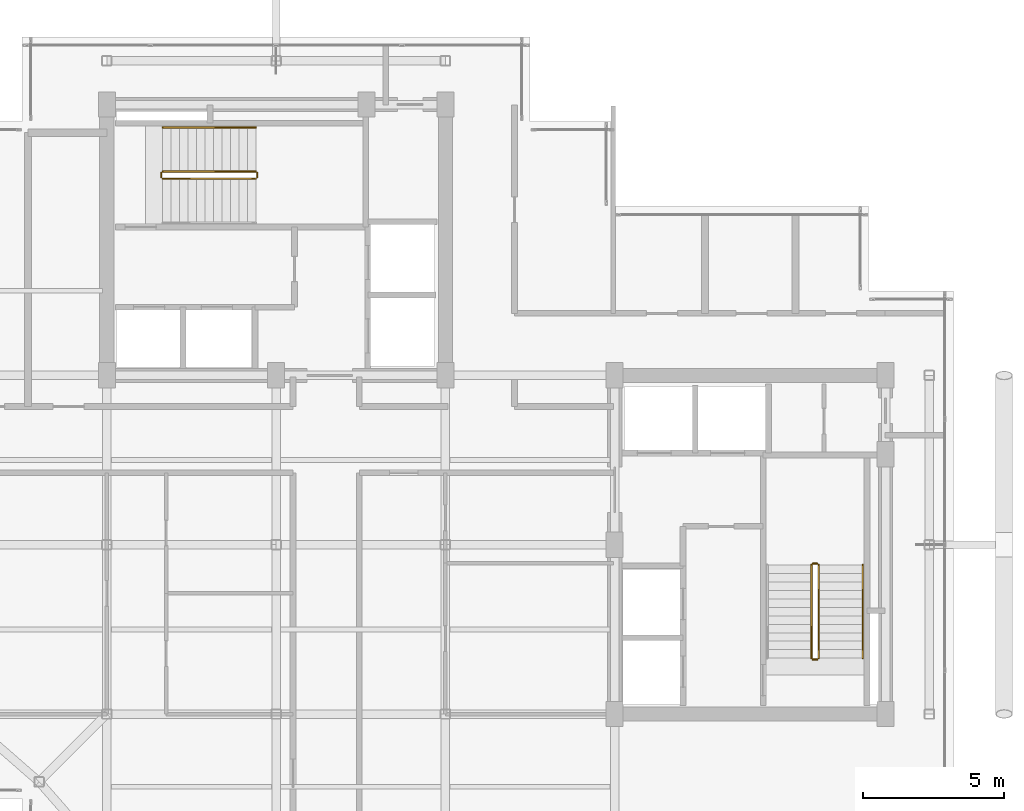
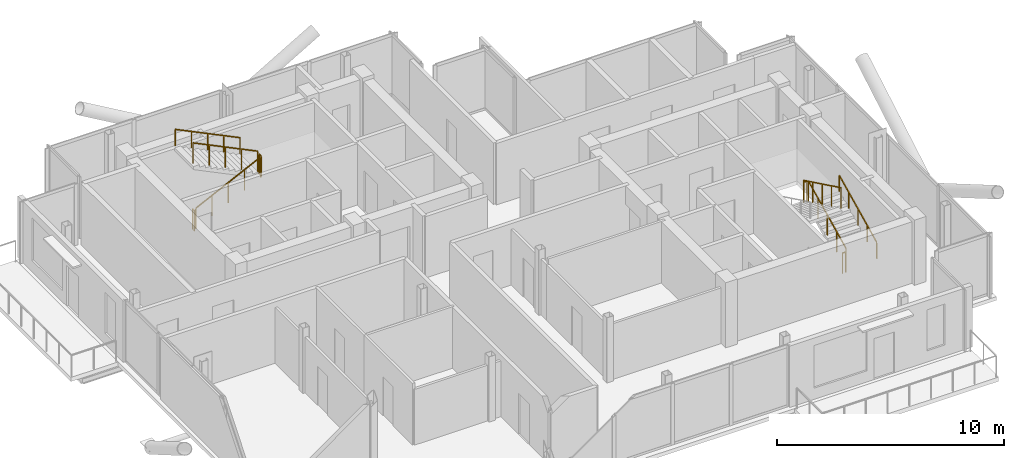
# One storey, part 18 of 18: 10 railings.
"""IFC4 building model written with IfcOpenShell, lengths in metres."""

import ifcopenshell
import ifcopenshell.guid

model = None  # the IFC model being written
_history = None  # IfcOwnerHistory: only IFC2X3 demands one
_inside = {}  # id of a spatial element -> (the spatial element, [elements in it])
_under = {}  # id of a project, library or spatial element -> (it, [spatial elements below it])
_declared = {}  # id of a project -> (the project, [libraries it declares])
_typed = {}  # id of a type object -> (the type object, [elements of that type])
_made_of = {}  # id of a material, layer set ... -> (it, [elements and type objects made of it])


def new_model(schema):
    """Start an empty IFC model of exactly this schema.

    Asked for "IFC4X3", IfcOpenShell would pick the latest addendum, in which some entities
    have other attributes; the version numbers below select the first issue.
    IFC2X3 requires an IfcOwnerHistory on every rooted entity: one is made here for all.
    """
    global model, _history
    if schema == "IFC4X3":
        model = ifcopenshell.file(schema_version=(4, 3, 0, 0))
    else:
        model = ifcopenshell.file(schema=schema)
    _inside.clear()
    _under.clear()
    _declared.clear()
    _typed.clear()
    _made_of.clear()
    _history = None
    if model.schema == "IFC2X3":
        org = make("IfcOrganization", Name="unknown")
        user = make(
            "IfcPersonAndOrganization",
            ThePerson=make("IfcPerson", FamilyName="unknown"),
            TheOrganization=org,
        )
        app = make(
            "IfcApplication",
            ApplicationDeveloper=org,
            Version="unknown",
            ApplicationFullName="unknown",
            ApplicationIdentifier="unknown",
        )
        _history = make(
            "IfcOwnerHistory",
            OwningUser=user,
            OwningApplication=app,
            ChangeAction="ADDED",
            CreationDate=0,
        )
    return model


def make(cls, **values):
    """One entity of the class cls with the attributes given. An attribute that is None is left unset."""
    return model.create_entity(
        cls, **{name: value for name, value in values.items() if value is not None}
    )


def rooted(cls, **values):
    """An entity with a GlobalId (a new one), such as an element, a storey or a relation."""
    return make(cls, GlobalId=ifcopenshell.guid.new(), OwnerHistory=_history, **values)


def si_unit(unit_type, name, prefix=None):
    """IfcSIUnit, for example si_unit("LENGTHUNIT", "METRE", prefix="MILLI")."""
    return make("IfcSIUnit", UnitType=unit_type, Prefix=prefix, Name=name)


def assignment(units):
    """IfcUnitAssignment: the units of a project."""
    return None if units is None else make("IfcUnitAssignment", Units=units)


def point(xyz):
    """IfcCartesianPoint."""
    return None if xyz is None else make("IfcCartesianPoint", Coordinates=xyz)


def direction(xyz):
    """IfcDirection."""
    return None if xyz is None else make("IfcDirection", DirectionRatios=xyz)


def frame(location, z_axis=None, x_axis=None):
    """IfcAxis2Placement3D, a coordinate frame: its origin and axes. An axis left out is left unset."""
    return make(
        "IfcAxis2Placement3D",
        Location=point(location),
        Axis=direction(z_axis),
        RefDirection=direction(x_axis),
    )


def frame_2d(location, x_axis=None):
    """IfcAxis2Placement2D, a coordinate frame in the plane: its origin and x axis."""
    return make(
        "IfcAxis2Placement2D", Location=point(location), RefDirection=direction(x_axis)
    )


def origin():
    """The frame at (0, 0, 0) with its axes left unset."""
    return frame((0.0, 0.0, 0.0))


def origin_2d():
    """The frame at (0, 0) in the plane with its x axis left unset."""
    return frame_2d((0.0, 0.0))


def place(relative_to, where):
    """IfcLocalPlacement: puts the frame where relative to a parent placement (None: the world)."""
    return make(
        "IfcLocalPlacement", PlacementRelTo=relative_to, RelativePlacement=where
    )


def context(
    kind, dimensions, precision=None, world=None, true_north=None, identifier=None
):
    """IfcGeometricRepresentationContext, for example the 3D "Model" context."""
    return make(
        "IfcGeometricRepresentationContext",
        ContextIdentifier=identifier,
        ContextType=kind,
        CoordinateSpaceDimension=dimensions,
        Precision=precision,
        WorldCoordinateSystem=world,
        TrueNorth=true_north,
    )


def subcontext(parent, identifier, kind, view, scale=None):
    """IfcGeometricRepresentationSubContext, for example "Body" below "Model"."""
    return make(
        "IfcGeometricRepresentationSubContext",
        ContextIdentifier=identifier,
        ContextType=kind,
        ParentContext=parent,
        TargetScale=scale,
        TargetView=view,
    )


def project(units=None, contexts=None):
    """IfcProject with its units and contexts."""
    return rooted(
        "IfcProject",
        Name="project",
        RepresentationContexts=contexts,
        UnitsInContext=assignment(units),
    )


def spatial(cls, under=None, at=None, **own):
    """A site, building, storey or space (cls), placed at a placement, below another one or the project."""
    s = rooted(cls, ObjectPlacement=at, **own)
    if under is not None:
        _under.setdefault(under.id(), (under, []))[1].append(s)
    return s


def profile(cls, at=None, kind="AREA", **sizes):
    """A parametric profile (cls). Its sizes go by their IFC names, for example OverallWidth=200.0."""
    return make(cls, ProfileType=kind, Position=at, **sizes)


def rectangle(**sizes):
    """IfcRectangleProfileDef."""
    return profile("IfcRectangleProfileDef", **sizes)


def extrude(swept, where, along, depth):
    """IfcExtrudedAreaSolid: the profile swept, set in the frame where, extruded along a direction by depth."""
    return make(
        "IfcExtrudedAreaSolid",
        SweptArea=swept,
        Position=where,
        ExtrudedDirection=direction(along),
        Depth=depth,
    )


def shape(context_of_items, identifier, shape_type, items):
    """IfcShapeRepresentation: the items that make up one representation, for example the "Body"."""
    return make(
        "IfcShapeRepresentation",
        ContextOfItems=context_of_items,
        RepresentationIdentifier=identifier,
        RepresentationType=shape_type,
        Items=items,
    )


def material(Name=None, Category=None):
    """IfcMaterial."""
    return make("IfcMaterial", Name=Name, Category=Category)


def made_of(thing, what):
    """Note that an element or type object is made of a material, layer set ...; save() writes the relation."""
    if what is not None:
        _made_of.setdefault(what.id(), (what, []))[1].append(thing)
    return thing


def type_object(cls, material=None, **own):
    """A type object (cls), such as IfcWallType, which elements share."""
    return made_of(rooted(cls, **own), material)


def element(
    cls,
    number,
    at=None,
    inside=None,
    cuts=None,
    type_object=None,
    material=None,
    context=None,
    identifier="Body",
    shape_type=None,
    held_by="IfcProductDefinitionShape",
    body=None,
    shapes=None,
    **own,
):
    """One element of the class cls, such as IfcWall. Its Tag is "e" and its number.

    at: its placement. inside: the storey or other place that contains it. cuts: it is an
    opening in that element (IfcRelVoidsElement). A single representation is given by context,
    identifier, shape_type and body (its items); several are given by shapes. held_by: the class
    of the entity that holds the representations. save() writes the other relations.
    """
    e = rooted(cls, Tag="e%d" % number, ObjectPlacement=at, **own)
    if body is not None:
        shapes = [shape(context, identifier, shape_type, body)]
    if shapes is not None:
        e.Representation = make(held_by, Representations=shapes)
    if inside is not None:
        _inside.setdefault(inside.id(), (inside, []))[1].append(e)
    if cuts is not None:
        rooted(
            "IfcRelVoidsElement", RelatingBuildingElement=cuts, RelatedOpeningElement=e
        )
    if type_object is not None:
        _typed.setdefault(type_object.id(), (type_object, []))[1].append(e)
    return made_of(e, material)


def aggregate(whole, parts):
    """IfcRelAggregates: a whole, such as a stair, and the parts it consists of."""
    return rooted("IfcRelAggregates", RelatingObject=whole, RelatedObjects=parts)


def save(model, path):
    """Write the relations noted so far, then the file.

    IfcRelAggregates (storeys below a building ...), IfcRelContainedInSpatialStructure (elements
    in a storey), IfcRelDefinesByType, IfcRelAssociatesMaterial and IfcRelDeclares: one each for
    every whole, place, type object, material and project.
    """
    for whole, parts in _under.values():
        aggregate(whole, parts)
    for where, things in _inside.values():
        rooted(
            "IfcRelContainedInSpatialStructure",
            RelatedElements=things,
            RelatingStructure=where,
        )
    for kind, things in _typed.values():
        rooted("IfcRelDefinesByType", RelatedObjects=things, RelatingType=kind)
    for what, things in _made_of.values():
        rooted("IfcRelAssociatesMaterial", RelatedObjects=things, RelatingMaterial=what)
    for by, libraries in _declared.values():
        rooted("IfcRelDeclares", RelatingContext=by, RelatedDefinitions=libraries)
    model.write(path)


model = new_model("IFC4")

# Units and contexts
model_context = context("Model", 3, precision=1e-05, world=origin(), true_north=direction((0.0, 1.0)))
body_context = subcontext(model_context, "Body", "Model", "MODEL_VIEW")
ifc_project = project(units=[si_unit("LENGTHUNIT", "METRE"), si_unit("AREAUNIT", "SQUARE_METRE"), si_unit("VOLUMEUNIT", "CUBIC_METRE"), si_unit("PLANEANGLEUNIT", "RADIAN"), si_unit("MASSUNIT", "GRAM", prefix="KILO"), si_unit("THERMODYNAMICTEMPERATUREUNIT", "KELVIN"), si_unit("POWERUNIT", "WATT")], contexts=[model_context])

# Site, building, storey
site_placement = place(None, origin())
site = spatial("IfcSite", under=ifc_project, at=site_placement, CompositionType="ELEMENT")
building_placement = place(site_placement, origin())
building = spatial("IfcBuilding", under=site, at=building_placement, Name="Svarakhadi Broadcast Tower", CompositionType="ELEMENT")
storey_placement = place(building_placement, frame((0.0, 0.0, 246.699951171875)))
storey = spatial("IfcBuildingStorey", under=building, at=storey_placement, Name="L61", CompositionType="ELEMENT", Elevation=246.699951171875)

# Railings
ifc_material = material(Name="Anodised Bronze Aluminium AA 6063-T6", Category="aluminium")
railing_type_1 = type_object("IfcRailingType", Name="Guard_Stair_GR01", PredefinedType="GUARDRAIL", material=ifc_material)
railing_1_placement = place(storey_placement, frame((7.97998046875, 24.969970703125, 0.14599609375)))
element("IfcRailing", 1, at=railing_1_placement, inside=storey, type_object=railing_type_1, Name="L61 ST-01 stair guard 1", PredefinedType="GUARDRAIL", context=body_context, shape_type="SweptSolid", body=[
    extrude(rectangle(XDim=0.048095703125, YDim=0.048095703125, at=origin_2d()), frame((0.0, 0.0, 1.09619140625), z_axis=(0.899387838337, 0.0, 0.437151594131), x_axis=(0.0, 1.0, 0.0)), (0.0, 0.0, 1.0), 3.669189453125),
    extrude(rectangle(XDim=0.0419921875, YDim=0.0419921875, at=origin_2d()), origin(), (0.0, 0.0, 1.0), 1.072021484375),
    extrude(rectangle(XDim=0.0419921875, YDim=0.0419921875, at=origin_2d()), frame((0.824951171875, 0.0, 0.40087890625)), (0.0, 0.0, 1.0), 1.072021484375),
    extrude(rectangle(XDim=0.0419921875, YDim=0.0419921875, at=origin_2d()), frame((1.64990234375, 0.0, 0.802001953125)), (0.0, 0.0, 1.0), 1.072021484375),
    extrude(rectangle(XDim=0.0419921875, YDim=0.0419921875, at=origin_2d()), frame((2.47509765625, 0.0, 1.203125)), (0.0, 0.0, 1.0), 1.072021484375),
    extrude(rectangle(XDim=0.0419921875, YDim=0.0419921875, at=origin_2d()), frame((3.300048828125, 0.0, 1.60400390625)), (0.0, 0.0, 1.0), 1.072021484375),
])
railing_2_placement = place(storey_placement, frame((11.330078125, 25.02001953125, 1.75)))
element("IfcRailing", 2, at=railing_2_placement, inside=storey, type_object=railing_type_1, Name="L61 ST-01 stair guard 2", PredefinedType="GUARDRAIL", context=body_context, shape_type="SweptSolid", body=[
    extrude(rectangle(XDim=0.048095703125, YDim=0.048095703125, at=origin_2d()), frame((0.0, 0.0, 1.09619140625), z_axis=(0.0, 1.0, 0.0), x_axis=(-1.0, 0.0, 0.0)), (0.0, 0.0, 1.0), 0.159912109375),
    extrude(rectangle(XDim=0.0419921875, YDim=0.0419921875, at=origin_2d()), origin(), (0.0, 0.0, 1.0), 1.072021484375),
    extrude(rectangle(XDim=0.0419921875, YDim=0.0419921875, at=origin_2d()), frame((0.0, 0.159912109375, 0.0)), (0.0, 0.0, 1.0), 1.072021484375),
])
railing_3_placement = place(storey_placement, frame((11.280029296875, 25.22998046875, 1.89599609375)))
element("IfcRailing", 3, at=railing_3_placement, inside=storey, type_object=railing_type_1, Name="L61 ST-01 stair guard 3", PredefinedType="GUARDRAIL", context=body_context, shape_type="SweptSolid", body=[
    extrude(rectangle(XDim=0.048095703125, YDim=0.048095703125, at=origin_2d()), frame((0.0, 0.0, 1.09619140625), z_axis=(-0.899387838337, 0.0, 0.437151594131), x_axis=(0.0, -1.0, 0.0)), (0.0, 0.0, 1.0), 3.669189453125),
    extrude(rectangle(XDim=0.0419921875, YDim=0.0419921875, at=origin_2d()), origin(), (0.0, 0.0, 1.0), 1.072021484375),
    extrude(rectangle(XDim=0.0419921875, YDim=0.0419921875, at=origin_2d()), frame((-0.824951171875, 0.0, 0.40087890625)), (0.0, 0.0, 1.0), 1.072021484375),
    extrude(rectangle(XDim=0.0419921875, YDim=0.0419921875, at=origin_2d()), frame((-1.64990234375, 0.0, 0.802001953125)), (0.0, 0.0, 1.0), 1.072021484375),
    extrude(rectangle(XDim=0.0419921875, YDim=0.0419921875, at=origin_2d()), frame((-2.47509765625, 0.0, 1.203125)), (0.0, 0.0, 1.0), 1.072021484375),
    extrude(rectangle(XDim=0.0419921875, YDim=0.0419921875, at=origin_2d()), frame((-3.300048828125, 0.0, 1.60400390625)), (0.0, 0.0, 1.0), 1.072021484375),
])
railing_4_placement = place(storey_placement, frame((7.929931640625, 25.02001953125, 0.0)))
element("IfcRailing", 4, at=railing_4_placement, inside=storey, type_object=railing_type_1, Name="L61 ST-01 stair guard 4", PredefinedType="GUARDRAIL", context=body_context, shape_type="SweptSolid", body=[
    extrude(rectangle(XDim=0.048095703125, YDim=0.048095703125, at=origin_2d()), frame((0.0, 0.0, 1.09619140625), z_axis=(0.0, 1.0, 0.0), x_axis=(-1.0, 0.0, 0.0)), (0.0, 0.0, 1.0), 0.159912109375),
    extrude(rectangle(XDim=0.0419921875, YDim=0.0419921875, at=origin_2d()), origin(), (0.0, 0.0, 1.0), 1.072021484375),
    extrude(rectangle(XDim=0.0419921875, YDim=0.0419921875, at=origin_2d()), frame((0.0, 0.159912109375, 0.0)), (0.0, 0.0, 1.0), 1.072021484375),
])
railing_5_placement = place(storey_placement, frame((31.22998046875, 7.97998046875, 0.14599609375)))
element("IfcRailing", 5, at=railing_5_placement, inside=storey, type_object=railing_type_1, Name="L61 ST-02 stair guard 1", PredefinedType="GUARDRAIL", context=body_context, shape_type="SweptSolid", body=[
    extrude(rectangle(XDim=0.048095703125, YDim=0.048095703125, at=origin_2d()), frame((0.0, 0.0, 1.09619140625), z_axis=(0.0, 0.899387838337, 0.437151594131), x_axis=(-1.0, 0.0, 0.0)), (0.0, 0.0, 1.0), 3.669189453125),
    extrude(rectangle(XDim=0.0419921875, YDim=0.0419921875, at=origin_2d()), origin(), (0.0, 0.0, 1.0), 1.072021484375),
    extrude(rectangle(XDim=0.0419921875, YDim=0.0419921875, at=origin_2d()), frame((0.0, 0.824951171875, 0.40087890625)), (0.0, 0.0, 1.0), 1.072021484375),
    extrude(rectangle(XDim=0.0419921875, YDim=0.0419921875, at=origin_2d()), frame((0.0, 1.64990234375, 0.802001953125)), (0.0, 0.0, 1.0), 1.072021484375),
    extrude(rectangle(XDim=0.0419921875, YDim=0.0419921875, at=origin_2d()), frame((0.0, 2.47509765625, 1.203125)), (0.0, 0.0, 1.0), 1.072021484375),
    extrude(rectangle(XDim=0.0419921875, YDim=0.0419921875, at=origin_2d()), frame((0.0, 3.300048828125, 1.60400390625)), (0.0, 0.0, 1.0), 1.072021484375),
])
railing_6_placement = place(storey_placement, frame((31.179931640625, 11.330078125, 1.75)))
element("IfcRailing", 6, at=railing_6_placement, inside=storey, type_object=railing_type_1, Name="L61 ST-02 stair guard 2", PredefinedType="GUARDRAIL", context=body_context, shape_type="SweptSolid", body=[
    extrude(rectangle(XDim=0.048095703125, YDim=0.048095703125, at=origin_2d()), frame((0.0, 0.0, 1.09619140625), z_axis=(-1.0, 0.0, 0.0), x_axis=(0.0, -1.0, 0.0)), (0.0, 0.0, 1.0), 0.159912109375),
    extrude(rectangle(XDim=0.0419921875, YDim=0.0419921875, at=origin_2d()), origin(), (0.0, 0.0, 1.0), 1.072021484375),
    extrude(rectangle(XDim=0.0419921875, YDim=0.0419921875, at=origin_2d()), frame((-0.159912109375, 0.0, 0.0)), (0.0, 0.0, 1.0), 1.072021484375),
])
railing_7_placement = place(storey_placement, frame((30.969970703125, 11.280029296875, 1.89599609375)))
element("IfcRailing", 7, at=railing_7_placement, inside=storey, type_object=railing_type_1, Name="L61 ST-02 stair guard 3", PredefinedType="GUARDRAIL", context=body_context, shape_type="SweptSolid", body=[
    extrude(rectangle(XDim=0.048095703125, YDim=0.048095703125, at=origin_2d()), frame((0.0, 0.0, 1.09619140625), z_axis=(0.0, -0.899387838337, 0.437151594131), x_axis=(1.0, 0.0, 0.0)), (0.0, 0.0, 1.0), 3.669189453125),
    extrude(rectangle(XDim=0.0419921875, YDim=0.0419921875, at=origin_2d()), origin(), (0.0, 0.0, 1.0), 1.072021484375),
    extrude(rectangle(XDim=0.0419921875, YDim=0.0419921875, at=origin_2d()), frame((0.0, -0.824951171875, 0.40087890625)), (0.0, 0.0, 1.0), 1.072021484375),
    extrude(rectangle(XDim=0.0419921875, YDim=0.0419921875, at=origin_2d()), frame((0.0, -1.64990234375, 0.802001953125)), (0.0, 0.0, 1.0), 1.072021484375),
    extrude(rectangle(XDim=0.0419921875, YDim=0.0419921875, at=origin_2d()), frame((0.0, -2.47509765625, 1.203125)), (0.0, 0.0, 1.0), 1.072021484375),
    extrude(rectangle(XDim=0.0419921875, YDim=0.0419921875, at=origin_2d()), frame((0.0, -3.300048828125, 1.60400390625)), (0.0, 0.0, 1.0), 1.072021484375),
])
railing_8_placement = place(storey_placement, frame((31.179931640625, 7.929931640625, 0.0)))
element("IfcRailing", 8, at=railing_8_placement, inside=storey, type_object=railing_type_1, Name="L61 ST-02 stair guard 4", PredefinedType="GUARDRAIL", context=body_context, shape_type="SweptSolid", body=[
    extrude(rectangle(XDim=0.048095703125, YDim=0.048095703125, at=origin_2d()), frame((0.0, 0.0, 1.09619140625), z_axis=(-1.0, 0.0, 0.0), x_axis=(0.0, -1.0, 0.0)), (0.0, 0.0, 1.0), 0.159912109375),
    extrude(rectangle(XDim=0.0419921875, YDim=0.0419921875, at=origin_2d()), origin(), (0.0, 0.0, 1.0), 1.072021484375),
    extrude(rectangle(XDim=0.0419921875, YDim=0.0419921875, at=origin_2d()), frame((-0.159912109375, 0.0, 0.0)), (0.0, 0.0, 1.0), 1.072021484375),
])
railing_type_2 = type_object("IfcRailingType", Name="Handrail_Stair_HR01", PredefinedType="HANDRAIL", material=ifc_material)
railing_9_placement = place(storey_placement, frame((11.280029296875, 26.7900390625, 1.89599609375)))
element("IfcRailing", 9, at=railing_9_placement, inside=storey, type_object=railing_type_2, Name="L61 ST-01 stair handrail 2", PredefinedType="HANDRAIL", context=body_context, shape_type="SweptSolid", body=[
    extrude(rectangle(XDim=0.048095703125, YDim=0.048095703125, at=origin_2d()), frame((0.0, 0.0, 0.8759765625), z_axis=(-0.899387838337, 0.0, 0.437151594131), x_axis=(0.0, -1.0, 0.0)), (0.0, 0.0, 1.0), 3.669189453125),
    extrude(rectangle(XDim=0.0419921875, YDim=0.0419921875, at=origin_2d()), origin(), (0.0, 0.0, 1.0), 0.851806640625),
    extrude(rectangle(XDim=0.0419921875, YDim=0.0419921875, at=origin_2d()), frame((-0.824951171875, 0.0, 0.40087890625)), (0.0, 0.0, 1.0), 0.851806640625),
    extrude(rectangle(XDim=0.0419921875, YDim=0.0419921875, at=origin_2d()), frame((-1.64990234375, 0.0, 0.802001953125)), (0.0, 0.0, 1.0), 0.851806640625),
    extrude(rectangle(XDim=0.0419921875, YDim=0.0419921875, at=origin_2d()), frame((-2.47509765625, 0.0, 1.203125)), (0.0, 0.0, 1.0), 0.851806640625),
    extrude(rectangle(XDim=0.0419921875, YDim=0.0419921875, at=origin_2d()), frame((-3.300048828125, 0.0, 1.60400390625)), (0.0, 0.0, 1.0), 0.851806640625),
])
railing_10_placement = place(storey_placement, frame((32.7900390625, 7.97998046875, 0.14599609375)))
element("IfcRailing", 10, at=railing_10_placement, inside=storey, type_object=railing_type_2, Name="L61 ST-02 stair handrail 1", PredefinedType="HANDRAIL", context=body_context, shape_type="SweptSolid", body=[
    extrude(rectangle(XDim=0.048095703125, YDim=0.048095703125, at=origin_2d()), frame((0.0, 0.0, 0.8759765625), z_axis=(0.0, 0.899387838337, 0.437151594131), x_axis=(-1.0, 0.0, 0.0)), (0.0, 0.0, 1.0), 3.669189453125),
    extrude(rectangle(XDim=0.0419921875, YDim=0.0419921875, at=origin_2d()), origin(), (0.0, 0.0, 1.0), 0.851806640625),
    extrude(rectangle(XDim=0.0419921875, YDim=0.0419921875, at=origin_2d()), frame((0.0, 0.824951171875, 0.40087890625)), (0.0, 0.0, 1.0), 0.851806640625),
    extrude(rectangle(XDim=0.0419921875, YDim=0.0419921875, at=origin_2d()), frame((0.0, 1.64990234375, 0.802001953125)), (0.0, 0.0, 1.0), 0.851806640625),
    extrude(rectangle(XDim=0.0419921875, YDim=0.0419921875, at=origin_2d()), frame((0.0, 2.47509765625, 1.203125)), (0.0, 0.0, 1.0), 0.851806640625),
    extrude(rectangle(XDim=0.0419921875, YDim=0.0419921875, at=origin_2d()), frame((0.0, 3.300048828125, 1.60400390625)), (0.0, 0.0, 1.0), 0.851806640625),
])

save(model, "model.ifc")
